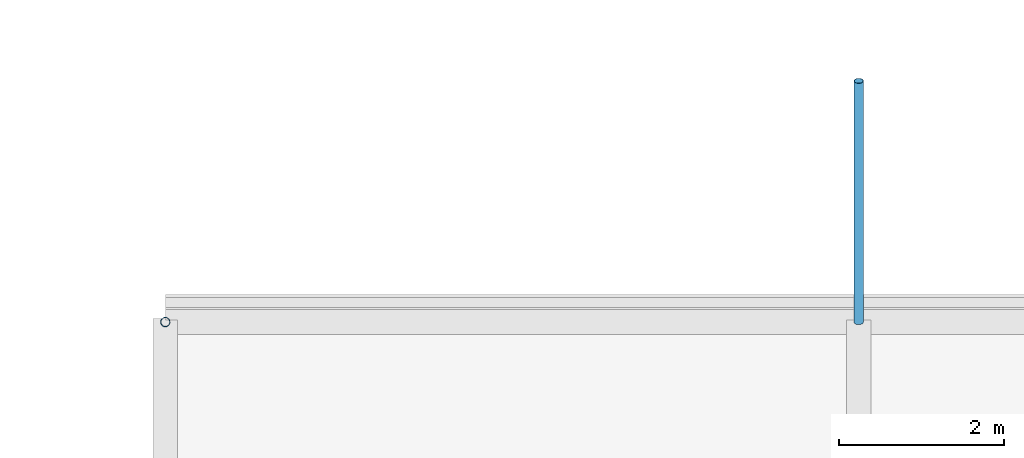
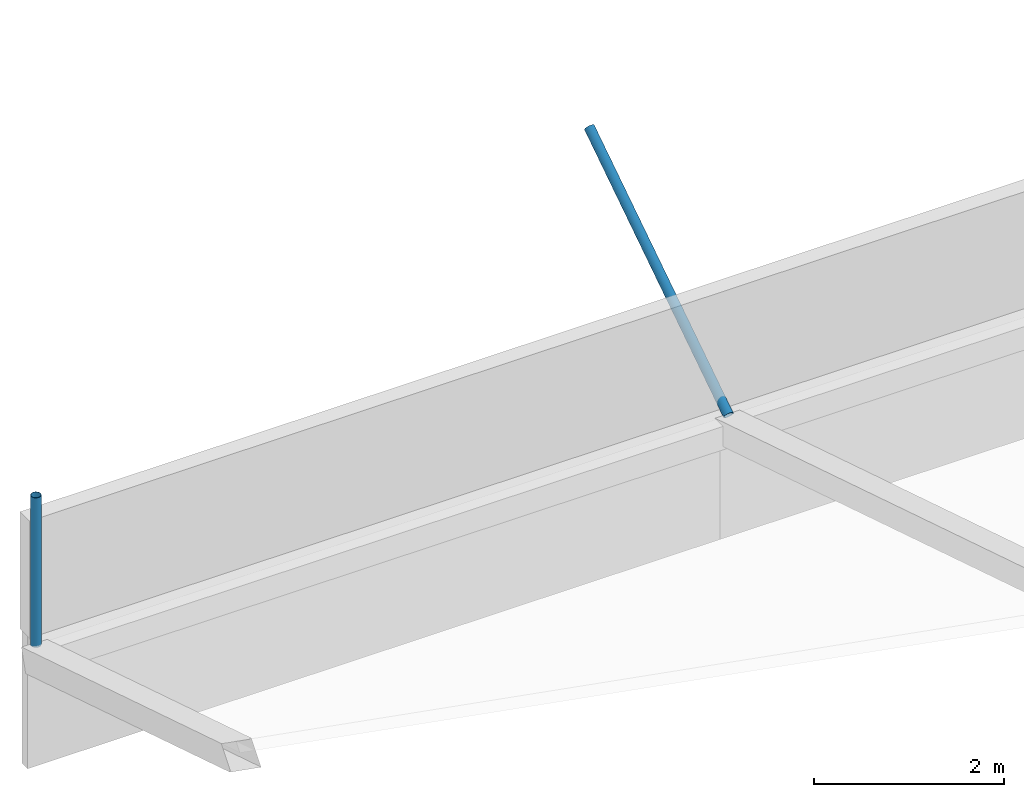
# One storey, part 49 of 85: 2 discrete accessories.
"""IFC4 building model written with IfcOpenShell, lengths in metres."""

from ifc_helpers import new_model, si_unit, direction, frame, origin, origin_2d, place, context, subcontext, project, spatial, hollow_circle, extrude, material, material_profile, profile_set, type_object, element, save


model = new_model("IFC4")

# Units and contexts
model_context = context("Model", 3, precision=1e-05, world=origin(), true_north=direction((0.0, 1.0)))
body_context = subcontext(model_context, "Body", "Model", "MODEL_VIEW")
ifc_project = project(units=[si_unit("LENGTHUNIT", "METRE"), si_unit("AREAUNIT", "SQUARE_METRE"), si_unit("VOLUMEUNIT", "CUBIC_METRE"), si_unit("PLANEANGLEUNIT", "RADIAN"), si_unit("MASSUNIT", "GRAM", prefix="KILO")], contexts=[model_context])

# Site, building, storey
site_placement = place(None, origin())
site = spatial("IfcSite", under=ifc_project, at=site_placement, CompositionType="ELEMENT")
building_placement = place(site_placement, origin())
building = spatial("IfcBuilding", under=site, at=building_placement, Name="Rain Tree Exposition and Congress Centre", CompositionType="ELEMENT")
storey_placement = place(building_placement, frame((0.0, 0.0, 15.0)))
storey = spatial("IfcBuildingStorey", under=building, at=storey_placement, Name="L03", CompositionType="ELEMENT", Elevation=15.0)

# Discrete accessories
ifc_material = material(Name="Steel S355J2H", Category="steel")
ifc_material_profile = material_profile(ifc_material, hollow_circle(Radius=0.05712890625, WallThickness=0.00439453125, at=origin_2d()), Name="CHS 114x4.5")
ifc_profile_set = profile_set([ifc_material_profile], Name="Steel S355J2H")
discrete_accessory_type = type_object("IfcDiscreteAccessoryType", Name="Roof skin post CHS 114x4.5", PredefinedType="BRACKET", material=ifc_profile_set)
discrete_accessory_1_placement = place(storey_placement, frame((8.39990234375, 201.60009765625, 3.0), z_axis=(0.0, 0.0, 1.0), x_axis=(1.0, 0.0, 0.0)))
element("IfcDiscreteAccessory", 1, at=discrete_accessory_1_placement, inside=storey, type_object=discrete_accessory_type, Name="Roof skin post A181", PredefinedType="BRACKET", context=body_context, shape_type="SweptSolid", body=[
    extrude(hollow_circle(Radius=0.05712890625, WallThickness=0.00439453125, at=origin_2d()), origin(), (0.0, 0.0, 1.0), 1.919921875),
])
discrete_accessory_2_placement = place(storey_placement, frame((16.800048828125, 201.60009765625, 3.0), z_axis=(0.0, 0.835748511347, 0.549112398131), x_axis=(-1.0, 0.0, 0.0)))
element("IfcDiscreteAccessory", 2, at=discrete_accessory_2_placement, inside=storey, type_object=discrete_accessory_type, Name="Roof skin post A182", PredefinedType="BRACKET", context=body_context, shape_type="SweptSolid", body=[
    extrude(hollow_circle(Radius=0.05712890625, WallThickness=0.00439453125, at=origin_2d()), origin(), (0.0, 0.0, 1.0), 3.496337890625),
])

save(model, "model.ifc")
